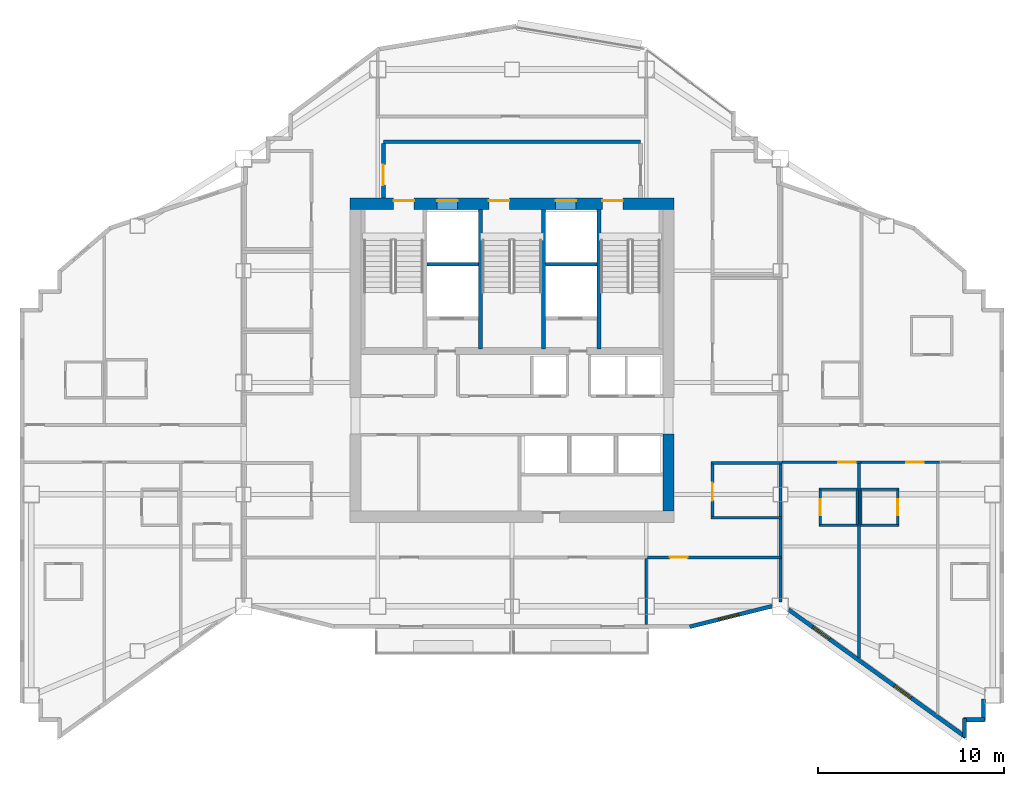
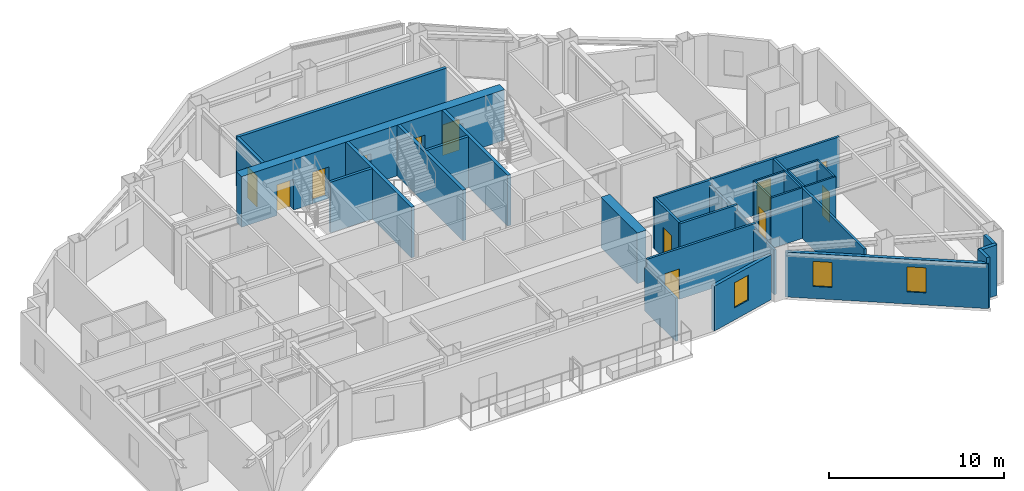
# One storey, part 7 of 12: 33 walls, 12 doors, 3 windows, 15 openings.
"""IFC4 building model written with IfcOpenShell, lengths in metres."""

from ifc_helpers import new_model, si_unit, direction, frame, frame_2d, origin, place, context, subcontext, project, spatial, rectangle, extrude, material, layer, layer_set, type_object, element, fill, save


model = new_model("IFC4")

# Units and contexts
model_context = context("Model", 3, precision=1e-05, world=origin(), true_north=direction((0.0, 1.0)))
body_context = subcontext(model_context, "Body", "Model", "MODEL_VIEW")
ifc_project = project(units=[si_unit("LENGTHUNIT", "METRE"), si_unit("AREAUNIT", "SQUARE_METRE"), si_unit("VOLUMEUNIT", "CUBIC_METRE"), si_unit("PLANEANGLEUNIT", "RADIAN"), si_unit("MASSUNIT", "GRAM", prefix="KILO")], contexts=[model_context])

# Site, building, storey
site_placement = place(None, origin())
site = spatial("IfcSite", under=ifc_project, at=site_placement, CompositionType="ELEMENT")
building_placement = place(site_placement, origin())
building = spatial("IfcBuilding", under=site, at=building_placement, Name="Haolan Belvedere Tower", CompositionType="ELEMENT")
storey_placement = place(building_placement, frame((0.0, 0.0, 203.199951171875)))
storey = spatial("IfcBuildingStorey", under=building, at=storey_placement, Name="L51", CompositionType="ELEMENT", Elevation=203.199951171875)

# Wall, openings, doors
ifc_material_1 = material(Name="Concrete C60/75", Category="concrete")
ifc_layer_1 = layer(ifc_material_1, 0.60009765625, Name="Concrete C60/75")
ifc_layer_set_1 = layer_set([ifc_layer_1], Name="Concrete C60/75")
wall_type_1 = type_object("IfcWallType", Name="WL-CORE-600", PredefinedType="SHEAR", material=ifc_layer_set_1)
wall_1_placement = place(storey_placement, frame((29.699951171875, 43.199951171875, 0.0), z_axis=(0.0, 0.0, 1.0), x_axis=(1.0, 0.0, 0.0)))
wall_1 = element("IfcWall", 1, at=wall_1_placement, inside=storey, type_object=wall_type_1, Name="L51 central core north shear wall", PredefinedType="SHEAR", context=body_context, shape_type="SweptSolid", body=[
    extrude(rectangle(XDim=17.400146484375, YDim=0.60009765625, at=frame_2d((8.7001953125, 0.0))), origin(), (0.0, 0.0, 1.0), 3.5400390625),
])
opening_1_placement = place(wall_1_placement, frame((2.35009765625, 0.0, 0.0)))
opening_1 = element("IfcOpeningElement", 2, at=opening_1_placement, cuts=wall_1, Name="Opening FD-03", PredefinedType="OPENING", context=body_context, shape_type="SweptSolid", body=[
    extrude(rectangle(XDim=1.10009765625, YDim=2.14990234375, at=frame_2d((0.550048828125, 1.074951171875))), frame((0.0, 0.31005859375, 0.0), z_axis=(0.0, -1.0, 0.0), x_axis=(1.0, 0.0, 0.0)), (0.0, 0.0, 1.0), 0.6201171875),
])
opening_2_placement = place(wall_1_placement, frame((7.4599609375, 0.0, 0.0)))
opening_2 = element("IfcOpeningElement", 3, at=opening_2_placement, cuts=wall_1, Name="Opening FD-03", PredefinedType="OPENING", context=body_context, shape_type="SweptSolid", body=[
    extrude(rectangle(XDim=1.10009765625, YDim=2.14990234375, at=frame_2d((0.550048828125, 1.074951171875))), frame((0.0, 0.31005859375, 0.0), z_axis=(0.0, -1.0, 0.0), x_axis=(1.0, 0.0, 0.0)), (0.0, 0.0, 1.0), 0.6201171875),
])
opening_3_placement = place(wall_1_placement, frame((13.550048828125, 0.0, 0.0)))
opening_3 = element("IfcOpeningElement", 4, at=opening_3_placement, cuts=wall_1, Name="Opening FD-03", PredefinedType="OPENING", context=body_context, shape_type="SweptSolid", body=[
    extrude(rectangle(XDim=1.10009765625, YDim=2.14990234375, at=frame_2d((0.550048828125, 1.074951171875))), frame((0.0, 0.31005859375, 0.0), z_axis=(0.0, -1.0, 0.0), x_axis=(1.0, 0.0, 0.0)), (0.0, 0.0, 1.0), 0.6201171875),
])
opening_4_placement = place(wall_1_placement, frame((4.679931640625, 0.0, 0.0)))
opening_4 = element("IfcOpeningElement", 5, at=opening_4_placement, cuts=wall_1, Name="Opening LD-01", PredefinedType="OPENING", context=body_context, shape_type="SweptSolid", body=[
    extrude(rectangle(XDim=1.10009765625, YDim=2.199951171875, at=frame_2d((0.550048828125, 1.10009765625))), frame((0.0, 0.31005859375, 0.0), z_axis=(0.0, -1.0, 0.0), x_axis=(1.0, 0.0, 0.0)), (0.0, 0.0, 1.0), 0.6201171875),
])
opening_5_placement = place(wall_1_placement, frame((11.0400390625, 0.0, 0.0)))
opening_5 = element("IfcOpeningElement", 6, at=opening_5_placement, cuts=wall_1, Name="Opening LD-01", PredefinedType="OPENING", context=body_context, shape_type="SweptSolid", body=[
    extrude(rectangle(XDim=1.10009765625, YDim=2.199951171875, at=frame_2d((0.550048828125, 1.10009765625))), frame((0.0, 0.31005859375, 0.0), z_axis=(0.0, -1.0, 0.0), x_axis=(1.0, 0.0, 0.0)), (0.0, 0.0, 1.0), 0.6201171875),
])
ifc_material_2 = material(Name="Galvanised fire-rated steel", Category="steel")
door_type_1 = type_object("IfcDoorType", Name="DR-FD90-1100", OperationType="NOTDEFINED", PredefinedType="DOOR", material=ifc_material_2)
door_1_placement = place(opening_1_placement, origin())
door_1 = element("IfcDoor", 7, at=door_1_placement, inside=storey, type_object=door_type_1, Name="L51 door CD-L51-ST1", OperationType="SINGLE_SWING_LEFT", OverallHeight=2.14990234375, OverallWidth=1.10009765625, PredefinedType="DOOR", context=body_context, shape_type="SweptSolid", body=[
    extrude(rectangle(XDim=1.10009765625, YDim=2.14990234375, at=frame_2d((0.550048828125, 1.074951171875))), frame((0.0, 0.18505859375, 0.0), z_axis=(0.0, -1.0, 0.0), x_axis=(1.0, 0.0, 0.0)), (0.0, 0.0, 1.0), 0.050048828125),
])
fill(opening_1, door_1)
door_2_placement = place(opening_2_placement, origin())
door_2 = element("IfcDoor", 8, at=door_2_placement, inside=storey, type_object=door_type_1, Name="L51 door CD-L51-ST3", OperationType="SINGLE_SWING_LEFT", OverallHeight=2.14990234375, OverallWidth=1.10009765625, PredefinedType="DOOR", context=body_context, shape_type="SweptSolid", body=[
    extrude(rectangle(XDim=1.10009765625, YDim=2.14990234375, at=frame_2d((0.550048828125, 1.074951171875))), frame((0.0, 0.18505859375, 0.0), z_axis=(0.0, -1.0, 0.0), x_axis=(1.0, 0.0, 0.0)), (0.0, 0.0, 1.0), 0.050048828125),
])
fill(opening_2, door_2)
door_3_placement = place(opening_3_placement, origin())
door_3 = element("IfcDoor", 9, at=door_3_placement, inside=storey, type_object=door_type_1, Name="L51 door CD-L51-ST2", OperationType="SINGLE_SWING_RIGHT", OverallHeight=2.14990234375, OverallWidth=1.10009765625, PredefinedType="DOOR", context=body_context, shape_type="SweptSolid", body=[
    extrude(rectangle(XDim=1.10009765625, YDim=2.14990234375, at=frame_2d((0.550048828125, 1.074951171875))), frame((0.0, 0.18505859375, 0.0), z_axis=(0.0, -1.0, 0.0), x_axis=(1.0, 0.0, 0.0)), (0.0, 0.0, 1.0), 0.050048828125),
])
fill(opening_3, door_3)
ifc_material_3 = material(Name="Brushed champagne stainless steel 316L", Category="steel")
door_type_2 = type_object("IfcDoorType", Name="DR-LIFT-1100", OperationType="SLIDING_TO_LEFT", PredefinedType="DOOR", material=ifc_material_3)
door_4_placement = place(opening_4_placement, origin())
door_4 = element("IfcDoor", 10, at=door_4_placement, inside=storey, type_object=door_type_2, Name="L51 door LD-L51-FF1", OperationType="SLIDING_TO_LEFT", OverallHeight=2.199951171875, OverallWidth=1.10009765625, PredefinedType="DOOR", context=body_context, shape_type="SweptSolid", body=[
    extrude(rectangle(XDim=1.10009765625, YDim=2.199951171875, at=frame_2d((0.550048828125, 1.10009765625))), frame((0.0, 0.18505859375, 0.0), z_axis=(0.0, -1.0, 0.0), x_axis=(1.0, 0.0, 0.0)), (0.0, 0.0, 1.0), 0.050048828125),
])
fill(opening_4, door_4)
door_5_placement = place(opening_5_placement, origin())
door_5 = element("IfcDoor", 11, at=door_5_placement, inside=storey, type_object=door_type_2, Name="L51 door LD-L51-FF2", OperationType="SLIDING_TO_LEFT", OverallHeight=2.199951171875, OverallWidth=1.10009765625, PredefinedType="DOOR", context=body_context, shape_type="SweptSolid", body=[
    extrude(rectangle(XDim=1.10009765625, YDim=2.199951171875, at=frame_2d((0.550048828125, 1.10009765625))), frame((0.0, 0.18505859375, 0.0), z_axis=(0.0, -1.0, 0.0), x_axis=(1.0, 0.0, 0.0)), (0.0, 0.0, 1.0), 0.050048828125),
])
fill(opening_5, door_5)

# Wall
wall_2_placement = place(storey_placement, frame((46.800048828125, 26.699951171875, 0.0), z_axis=(0.0, 0.0, 1.0), x_axis=(0.0, 1.0, 0.0)))
element("IfcWall", 12, at=wall_2_placement, inside=storey, type_object=wall_type_1, Name="L51 central core shear wall ES", PredefinedType="SHEAR", context=body_context, shape_type="SweptSolid", body=[
    extrude(rectangle(XDim=4.150146484375, YDim=0.60009765625, at=frame_2d((2.0751953125, 0.0))), origin(), (0.0, 0.0, 1.0), 3.5400390625),
])

# Wall, opening, window
ifc_material_4 = material(Name="Precast concrete C40/50", Category="concrete")
ifc_layer_2 = layer(ifc_material_4, 0.219970703125, Name="Precast concrete C40/50")
ifc_layer_set_2 = layer_set([ifc_layer_2], Name="Precast concrete C40/50")
wall_type_2 = type_object("IfcWallType", Name="WL-EXT-220", PredefinedType="SOLIDWALL", material=ifc_layer_set_2)
wall_3_placement = place(storey_placement, frame((47.93310546875, 20.49658203125, 0.0), z_axis=(0.0, 0.0, 1.0), x_axis=(0.970142500145, 0.242535625036, 0.0)))
wall_3 = element("IfcWall", 13, at=wall_3_placement, inside=storey, type_object=wall_type_2, Name="L51 pale-metal exterior spandrel wall 2.1", PredefinedType="SOLIDWALL", context=body_context, shape_type="SweptSolid", body=[
    extrude(rectangle(XDim=4.56103515625, YDim=0.219970703125, at=frame_2d((2.280517578125, 0.0))), origin(), (0.0, 0.0, 1.0), 3.135009765625),
])
opening_6_placement = place(wall_3_placement, frame((1.60009765625, 0.0, 0.85009765625)))
opening_6 = element("IfcOpeningElement", 14, at=opening_6_placement, cuts=wall_3, Name="Opening W-03", PredefinedType="OPENING", context=body_context, shape_type="SweptSolid", body=[
    extrude(rectangle(XDim=1.10009765625, YDim=1.75, at=frame_2d((0.550048828125, 0.875))), frame((0.0, 0.119873046875, 0.0), z_axis=(0.0, -1.0, 0.0), x_axis=(1.0, 0.0, 0.0)), (0.0, 0.0, 1.0), 0.239990234375),
])
ifc_material_5 = material(Name="Anodised aluminium 6063-T6 and Low-E glass", Category="aluminium")
window_type = type_object("IfcWindowType", Name="WN-DECO-Z3", PartitioningType="SINGLE_PANEL", PredefinedType="WINDOW", material=ifc_material_5)
window_1_placement = place(opening_6_placement, origin())
window_1 = element("IfcWindow", 15, at=window_1_placement, inside=storey, type_object=window_type, Name="L51 Art Deco chevron window 1", OverallHeight=1.75, OverallWidth=1.10009765625, PartitioningType="SINGLE_PANEL", PredefinedType="WINDOW", context=body_context, shape_type="SweptSolid", body=[
    extrude(rectangle(XDim=1.10009765625, YDim=1.75, at=frame_2d((0.550048828125, 0.875))), frame((0.0, 0.030029296875, 0.0), z_axis=(0.0, -1.0, 0.0), x_axis=(1.0, 0.0, 0.0)), (0.0, 0.0, 1.0), 0.06005859375),
])
fill(opening_6, window_1)

# Wall, openings, windows
wall_4_placement = place(storey_placement, frame((53.241943359375, 21.417236328125, 0.0), z_axis=(0.0, 0.0, 1.0), x_axis=(0.811534737332, -0.58430417601, 0.0)))
wall_4 = element("IfcWall", 16, at=wall_4_placement, inside=storey, type_object=wall_type_2, Name="L51 pale-metal exterior spandrel wall 3.1", PredefinedType="SOLIDWALL", context=body_context, shape_type="SweptSolid", body=[
    extrude(rectangle(XDim=11.697265625, YDim=0.219970703125, at=frame_2d((5.8486328125, 0.0))), origin(), (0.0, 0.0, 1.0), 3.135009765625),
])
opening_7_placement = place(wall_4_placement, frame((1.60009765625, 0.0, 0.85009765625)))
opening_7 = element("IfcOpeningElement", 17, at=opening_7_placement, cuts=wall_4, Name="Opening W-03", PredefinedType="OPENING", context=body_context, shape_type="SweptSolid", body=[
    extrude(rectangle(XDim=1.10009765625, YDim=1.75, at=frame_2d((0.550048828125, 0.875))), frame((0.0, 0.119873046875, 0.0), z_axis=(0.0, -1.0, 0.0), x_axis=(1.0, 0.0, 0.0)), (0.0, 0.0, 1.0), 0.239990234375),
])
opening_8_placement = place(wall_4_placement, frame((7.0, 0.0, 0.85009765625)))
opening_8 = element("IfcOpeningElement", 18, at=opening_8_placement, cuts=wall_4, Name="Opening W-03", PredefinedType="OPENING", context=body_context, shape_type="SweptSolid", body=[
    extrude(rectangle(XDim=1.10009765625, YDim=1.75, at=frame_2d((0.550048828125, 0.875))), frame((0.0, 0.119873046875, 0.0), z_axis=(0.0, -1.0, 0.0), x_axis=(1.0, 0.0, 0.0)), (0.0, 0.0, 1.0), 0.239990234375),
])
window_2_placement = place(opening_7_placement, origin())
window_2 = element("IfcWindow", 19, at=window_2_placement, inside=storey, type_object=window_type, Name="L51 Art Deco chevron window 1", OverallHeight=1.75, OverallWidth=1.10009765625, PartitioningType="SINGLE_PANEL", PredefinedType="WINDOW", context=body_context, shape_type="SweptSolid", body=[
    extrude(rectangle(XDim=1.10009765625, YDim=1.75, at=frame_2d((0.550048828125, 0.875))), frame((0.0, 0.030029296875, 0.0), z_axis=(0.0, -1.0, 0.0), x_axis=(1.0, 0.0, 0.0)), (0.0, 0.0, 1.0), 0.06005859375),
])
fill(opening_7, window_2)
window_3_placement = place(opening_8_placement, origin())
window_3 = element("IfcWindow", 20, at=window_3_placement, inside=storey, type_object=window_type, Name="L51 Art Deco chevron window 2", OverallHeight=1.75, OverallWidth=1.10009765625, PartitioningType="SINGLE_PANEL", PredefinedType="WINDOW", context=body_context, shape_type="SweptSolid", body=[
    extrude(rectangle(XDim=1.10009765625, YDim=1.75, at=frame_2d((0.550048828125, 0.875))), frame((0.0, 0.030029296875, 0.0), z_axis=(0.0, -1.0, 0.0), x_axis=(1.0, 0.0, 0.0)), (0.0, 0.0, 1.0), 0.06005859375),
])
fill(opening_8, window_3)

# Walls
wall_5_placement = place(storey_placement, frame((62.68994140625, 14.559814453125, 0.0), z_axis=(0.0, 0.0, 1.0), x_axis=(0.0, 1.0, 0.0)))
element("IfcWall", 21, at=wall_5_placement, inside=storey, type_object=wall_type_2, Name="L51 pale-metal exterior spandrel wall 4.1", PredefinedType="SOLIDWALL", context=body_context, shape_type="SweptSolid", body=[
    extrude(rectangle(XDim=1.005126953125, YDim=0.219970703125, at=frame_2d((0.50244140625, 0.0))), origin(), (0.0, 0.0, 1.0), 3.5400390625),
])
wall_6_placement = place(storey_placement, frame((62.635009765625, 15.510009765625, 0.0), z_axis=(0.0, 0.0, 1.0), x_axis=(1.0, 0.0, 0.0)))
element("IfcWall", 22, at=wall_6_placement, inside=storey, type_object=wall_type_2, Name="L51 pale-metal exterior spandrel wall 5.1", PredefinedType="SOLIDWALL", context=body_context, shape_type="SweptSolid", body=[
    extrude(rectangle(XDim=1.110107421875, YDim=0.219970703125, at=frame_2d((0.55517578125, 0.0))), origin(), (0.0, 0.0, 1.0), 3.5400390625),
])
wall_7_placement = place(storey_placement, frame((63.68994140625, 15.455078125, 0.0), z_axis=(0.0, 0.0, 1.0), x_axis=(0.0, 1.0, 0.0)))
element("IfcWall", 23, at=wall_7_placement, inside=storey, type_object=wall_type_2, Name="L51 pale-metal exterior spandrel wall 6.1", PredefinedType="SOLIDWALL", context=body_context, shape_type="SweptSolid", body=[
    extrude(rectangle(XDim=1.1650390625, YDim=0.219970703125, at=frame_2d((0.58251953125, 0.0))), origin(), (0.0, 0.0, 1.0), 3.5400390625),
])
ifc_material_6 = material(Name="Concrete C40/50", Category="concrete")
ifc_layer_3 = layer(ifc_material_6, 0.199951171875, Name="Concrete C40/50")
ifc_layer_set_3 = layer_set([ifc_layer_3], Name="Concrete C40/50")
wall_type_3 = type_object("IfcWallType", Name="WL-FIRE-200", PredefinedType="SOLIDWALL", material=ifc_layer_set_3)
wall_8_placement = place(storey_placement, frame((31.5, 46.52001953125, 0.0), z_axis=(0.0, 0.0, 1.0), x_axis=(1.0, 0.0, 0.0)))
element("IfcWall", 24, at=wall_8_placement, inside=storey, type_object=wall_type_3, Name="L51 interior partition IW-L51-FFL-N", PredefinedType="SOLIDWALL", context=body_context, shape_type="SweptSolid", body=[
    extrude(rectangle(XDim=13.800048828125, YDim=0.199951171875, at=frame_2d((6.89990234375, 0.0))), origin(), (0.0, 0.0, 1.0), 3.5400390625),
])

# Wall, opening, door
wall_9_placement = place(storey_placement, frame((31.5, 43.5, 0.0), z_axis=(0.0, 0.0, 1.0), x_axis=(0.0, 1.0, 0.0)))
wall_9 = element("IfcWall", 25, at=wall_9_placement, inside=storey, type_object=wall_type_3, Name="L51 interior partition IW-L51-FFL-W", PredefinedType="SOLIDWALL", context=body_context, shape_type="SweptSolid", body=[
    extrude(rectangle(XDim=2.93505859375, YDim=0.199951171875, at=frame_2d((1.467529296875, 0.0))), origin(), (0.0, 0.0, 1.0), 3.5400390625),
])
opening_9_placement = place(wall_9_placement, frame((1.800048828125, 0.0, 0.0), z_axis=(0.0, 0.0, 1.0), x_axis=(-1.0, 0.0, 0.0)))
opening_9 = element("IfcOpeningElement", 26, at=opening_9_placement, cuts=wall_9, Name="Opening FD-03", PredefinedType="OPENING", context=body_context, shape_type="SweptSolid", body=[
    extrude(rectangle(XDim=1.10009765625, YDim=2.14990234375, at=frame_2d((0.550048828125, 1.074951171875))), frame((0.0, 0.10986328125, 0.0), z_axis=(0.0, -1.0, 0.0), x_axis=(1.0, 0.0, 0.0)), (0.0, 0.0, 1.0), 0.219970703125),
])
door_6_placement = place(opening_9_placement, origin())
door_6 = element("IfcDoor", 27, at=door_6_placement, inside=storey, type_object=door_type_1, Name="L51 door ID-L51-FFL-DW", OperationType="SINGLE_SWING_LEFT", OverallHeight=2.14990234375, OverallWidth=1.10009765625, PredefinedType="DOOR", context=body_context, shape_type="SweptSolid", body=[
    extrude(rectangle(XDim=1.10009765625, YDim=2.14990234375, at=frame_2d((0.550048828125, 1.074951171875))), frame((0.0, 0.02490234375, 0.0), z_axis=(0.0, -1.0, 0.0), x_axis=(1.0, 0.0, 0.0)), (0.0, 0.0, 1.0), 0.050048828125),
])
fill(opening_9, door_6)

# Walls
ifc_material_7 = material(Name="Double gypsum acoustic stud partition", Category="masonry")
ifc_layer_4 = layer(ifc_material_7, 0.14990234375, Name="Double gypsum acoustic stud partition")
ifc_layer_set_4 = layer_set([ifc_layer_4], Name="Double gypsum acoustic stud partition")
wall_type_4 = type_object("IfcWallType", Name="WL-PART-150", PredefinedType="PARTITIONING", material=ifc_layer_set_4)
for number, where, z_axis, x_axis, name in (
    (28, (49.080078125, 29.280029296875, 0.0), (0.0, 0.0, 1.0), (1.0, 0.0, 0.0), "L51 interior partition IW-L51-PKTE-N"),
    (29, (49.080078125, 26.35009765625, 0.0), (0.0, 0.0, 1.0), (1.0, 0.0, 0.0), "L51 interior partition IW-L51-PKTE-S"),
):
    element("IfcWall", number, at=place(storey_placement, frame(where, z_axis=z_axis, x_axis=x_axis)), inside=storey, type_object=wall_type_4, Name=name, PredefinedType="PARTITIONING", context=body_context, shape_type="SweptSolid", body=[
        extrude(rectangle(XDim=3.7998046875, YDim=0.14990234375, at=frame_2d((1.89990234375, 0.0))), origin(), (0.0, 0.0, 1.0), 3.5400390625),
    ])

# Wall, opening, door
wall_10_placement = place(storey_placement, frame((49.159912109375, 26.409912109375, 0.0), z_axis=(0.0, 0.0, 1.0), x_axis=(0.0, 1.0, 0.0)))
wall_10 = element("IfcWall", 30, at=wall_10_placement, inside=storey, type_object=wall_type_4, Name="L51 interior partition IW-L51-PKTE-W", PredefinedType="PARTITIONING", context=body_context, shape_type="SweptSolid", body=[
    extrude(rectangle(XDim=2.81005859375, YDim=0.14990234375, at=frame_2d((1.405029296875, 0.0))), origin(), (0.0, 0.0, 1.0), 3.5400390625),
])
opening_10_placement = place(wall_10_placement, frame((0.860107421875, 0.0, 0.0)))
opening_10 = element("IfcOpeningElement", 31, at=opening_10_placement, cuts=wall_10, Name="Opening ID-03", PredefinedType="OPENING", context=body_context, shape_type="SweptSolid", body=[
    extrude(rectangle(XDim=0.949951171875, YDim=2.1201171875, at=frame_2d((0.47509765625, 1.06005859375))), frame((0.0, 0.0849609375, 0.0), z_axis=(0.0, -1.0, 0.0), x_axis=(1.0, 0.0, 0.0)), (0.0, 0.0, 1.0), 0.169921875),
])
ifc_material_8 = material(Name="Painted solid-core timber", Category="wood")
door_type_3 = type_object("IfcDoorType", Name="DR-INT-950", OperationType="NOTDEFINED", PredefinedType="DOOR", material=ifc_material_8)
door_7_placement = place(opening_10_placement, origin())
door_7 = element("IfcDoor", 32, at=door_7_placement, inside=storey, type_object=door_type_3, Name="L51 door ID-L51-PKTE", OperationType="SINGLE_SWING_RIGHT", OverallHeight=2.1201171875, OverallWidth=0.949951171875, PredefinedType="DOOR", context=body_context, shape_type="SweptSolid", body=[
    extrude(rectangle(XDim=0.949951171875, YDim=2.1201171875, at=frame_2d((0.47509765625, 1.06005859375))), frame((0.0, 0.02490234375, 0.0), z_axis=(0.0, -1.0, 0.0), x_axis=(1.0, 0.0, 0.0)), (0.0, 0.0, 1.0), 0.050048828125),
])
fill(opening_10, door_7)

# Walls
wall_11_placement = place(storey_placement, frame((52.800048828125, 26.409912109375, 0.0), z_axis=(0.0, 0.0, 1.0), x_axis=(0.0, 1.0, 0.0)))
element("IfcWall", 33, at=wall_11_placement, inside=storey, type_object=wall_type_4, Name="L51 interior partition IW-L51-PKTE-E", PredefinedType="PARTITIONING", context=body_context, shape_type="SweptSolid", body=[
    extrude(rectangle(XDim=2.81005859375, YDim=0.14990234375, at=frame_2d((1.405029296875, 0.0))), origin(), (0.0, 0.0, 1.0), 3.135009765625),
])
wall_12_placement = place(storey_placement, frame((45.60009765625, 20.612060546875, 0.0), z_axis=(0.0, 0.0, 1.0), x_axis=(0.0, 1.0, 0.0)))
element("IfcWall", 34, at=wall_12_placement, inside=storey, type_object=wall_type_4, Name="L51 interior partition IW-L51-KS2-E", PredefinedType="PARTITIONING", context=body_context, shape_type="SweptSolid", body=[
    extrude(rectangle(XDim=3.5478515625, YDim=0.14990234375, at=frame_2d((1.77392578125, 0.0))), origin(), (0.0, 0.0, 1.0), 3.025146484375),
])

# Wall, opening, door
wall_13_placement = place(storey_placement, frame((45.681884765625, 24.219970703125, 0.0), z_axis=(0.0, 0.0, 1.0), x_axis=(1.0, 0.0, 0.0)))
wall_13 = element("IfcWall", 35, at=wall_13_placement, inside=storey, type_object=wall_type_4, Name="L51 interior partition IW-L51-KS3-N", PredefinedType="PARTITIONING", context=body_context, shape_type="SweptSolid", body=[
    extrude(rectangle(XDim=7.197998046875, YDim=0.14990234375, at=frame_2d((3.59912109375, 0.0))), origin(), (0.0, 0.0, 1.0), 3.5400390625),
])
opening_11_placement = place(wall_13_placement, frame((2.14306640625, 0.0, 0.0), z_axis=(0.0, 0.0, 1.0), x_axis=(-1.0, 0.0, 0.0)))
opening_11 = element("IfcOpeningElement", 36, at=opening_11_placement, cuts=wall_13, Name="Opening ID-03", PredefinedType="OPENING", context=body_context, shape_type="SweptSolid", body=[
    extrude(rectangle(XDim=0.949951171875, YDim=2.1201171875, at=frame_2d((0.47509765625, 1.06005859375))), frame((0.0, 0.0849609375, 0.0), z_axis=(0.0, -1.0, 0.0), x_axis=(1.0, 0.0, 0.0)), (0.0, 0.0, 1.0), 0.169921875),
])
door_8_placement = place(opening_11_placement, origin())
door_8 = element("IfcDoor", 37, at=door_8_placement, inside=storey, type_object=door_type_3, Name="L51 door ID-L51-KS3", OperationType="SINGLE_SWING_LEFT", OverallHeight=2.1201171875, OverallWidth=0.949951171875, PredefinedType="DOOR", context=body_context, shape_type="SweptSolid", body=[
    extrude(rectangle(XDim=0.949951171875, YDim=2.1201171875, at=frame_2d((0.47509765625, 1.06005859375))), frame((0.0, 0.02490234375, 0.0), z_axis=(0.0, -1.0, 0.0), x_axis=(1.0, 0.0, 0.0)), (0.0, 0.0, 1.0), 0.050048828125),
])
fill(opening_11, door_8)

# Wall
wall_14_placement = place(storey_placement, frame((52.800048828125, 21.818603515625, 0.0), z_axis=(0.0, 0.0, 1.0), x_axis=(0.0, 1.0, 0.0)))
element("IfcWall", 38, at=wall_14_placement, inside=storey, type_object=wall_type_4, Name="L51 interior partition IW-L51-KS3-E", PredefinedType="PARTITIONING", context=body_context, shape_type="SweptSolid", body=[
    extrude(rectangle(XDim=2.34130859375, YDim=0.14990234375, at=frame_2d((1.170654296875, 0.0))), origin(), (0.0, 0.0, 1.0), 3.135009765625),
])

# Wall, opening, door
wall_15_placement = place(storey_placement, frame((52.882080078125, 29.320068359375, 0.0), z_axis=(0.0, 0.0, 1.0), x_axis=(1.0, 0.0, 0.0)))
wall_15 = element("IfcWall", 39, at=wall_15_placement, inside=storey, type_object=wall_type_4, Name="L51 interior partition IW-L51-T4S1-N", PredefinedType="PARTITIONING", context=body_context, shape_type="SweptSolid", body=[
    extrude(rectangle(XDim=4.238037109375, YDim=0.14990234375, at=frame_2d((2.119140625, 0.0))), origin(), (0.0, 0.0, 1.0), 3.5400390625),
])
opening_12_placement = place(wall_15_placement, frame((3.971923828125, 0.0, 0.0), z_axis=(0.0, 0.0, 1.0), x_axis=(-1.0, 0.0, 0.0)))
opening_12 = element("IfcOpeningElement", 40, at=opening_12_placement, cuts=wall_15, Name="Opening ID-02", PredefinedType="OPENING", context=body_context, shape_type="SweptSolid", body=[
    extrude(rectangle(XDim=0.949951171875, YDim=2.14990234375, at=frame_2d((0.47509765625, 1.074951171875))), frame((0.0, 0.0849609375, 0.0), z_axis=(0.0, -1.0, 0.0), x_axis=(1.0, 0.0, 0.0)), (0.0, 0.0, 1.0), 0.169921875),
])
ifc_material_9 = material(Name="Acoustic oak veneer fire-rated timber", Category="wood")
door_type_4 = type_object("IfcDoorType", Name="DR-GUEST-950", OperationType="NOTDEFINED", PredefinedType="DOOR", material=ifc_material_9)
door_9_placement = place(opening_12_placement, origin())
door_9 = element("IfcDoor", 41, at=door_9_placement, inside=storey, type_object=door_type_4, Name="L51 door ID-L51-T4S1-ENT", OperationType="SINGLE_SWING_RIGHT", OverallHeight=2.14990234375, OverallWidth=0.949951171875, PredefinedType="DOOR", context=body_context, shape_type="SweptSolid", body=[
    extrude(rectangle(XDim=0.949951171875, YDim=2.14990234375, at=frame_2d((0.47509765625, 1.074951171875))), frame((0.0, 0.02490234375, 0.0), z_axis=(0.0, -1.0, 0.0), x_axis=(1.0, 0.0, 0.0)), (0.0, 0.0, 1.0), 0.050048828125),
])
fill(opening_12, door_9)

# Walls
wall_16_placement = place(storey_placement, frame((52.800048828125, 24.280029296875, 0.0), z_axis=(0.0, 0.0, 1.0), x_axis=(0.0, 1.0, 0.0)))
element("IfcWall", 42, at=wall_16_placement, inside=storey, type_object=wall_type_4, Name="L51 interior partition IW-L51-T4S1-W", PredefinedType="PARTITIONING", context=body_context, shape_type="SweptSolid", body=[
    extrude(rectangle(XDim=2.010009765625, YDim=0.14990234375, at=frame_2d((1.0048828125, 0.0))), origin(), (0.0, 0.0, 1.0), 3.135009765625),
])
wall_17_placement = place(storey_placement, frame((57.02001953125, 18.82275390625, 0.0), z_axis=(0.0, 0.0, 1.0), x_axis=(0.0, 1.0, 0.0)))
element("IfcWall", 43, at=wall_17_placement, inside=storey, type_object=wall_type_4, Name="L51 interior partition IW-L51-T4S1-E", PredefinedType="PARTITIONING", context=body_context, shape_type="SweptSolid", body=[
    extrude(rectangle(XDim=10.437255859375, YDim=0.14990234375, at=frame_2d((5.21875, 0.0))), origin(), (0.0, 0.0, 1.0), 3.5400390625),
])

# Wall, opening, door
wall_18_placement = place(storey_placement, frame((57.1220703125, 29.320068359375, 0.0), z_axis=(0.0, 0.0, 1.0), x_axis=(1.0, 0.0, 0.0)))
wall_18 = element("IfcWall", 44, at=wall_18_placement, inside=storey, type_object=wall_type_4, Name="L51 interior partition IW-L51-T4S2-N", PredefinedType="PARTITIONING", context=body_context, shape_type="SweptSolid", body=[
    extrude(rectangle(XDim=4.22802734375, YDim=0.14990234375, at=frame_2d((2.114013671875, 0.0))), origin(), (0.0, 0.0, 1.0), 3.5400390625),
])
opening_13_placement = place(wall_18_placement, frame((3.37939453125, 0.0, 0.0), z_axis=(0.0, 0.0, 1.0), x_axis=(-1.0, 0.0, 0.0)))
opening_13 = element("IfcOpeningElement", 45, at=opening_13_placement, cuts=wall_18, Name="Opening ID-02", PredefinedType="OPENING", context=body_context, shape_type="SweptSolid", body=[
    extrude(rectangle(XDim=0.949951171875, YDim=2.14990234375, at=frame_2d((0.47509765625, 1.074951171875))), frame((0.0, 0.0849609375, 0.0), z_axis=(0.0, -1.0, 0.0), x_axis=(1.0, 0.0, 0.0)), (0.0, 0.0, 1.0), 0.169921875),
])
door_10_placement = place(opening_13_placement, origin())
door_10 = element("IfcDoor", 46, at=door_10_placement, inside=storey, type_object=door_type_4, Name="L51 door ID-L51-T4S2-ENT", OperationType="SINGLE_SWING_LEFT", OverallHeight=2.14990234375, OverallWidth=0.949951171875, PredefinedType="DOOR", context=body_context, shape_type="SweptSolid", body=[
    extrude(rectangle(XDim=0.949951171875, YDim=2.14990234375, at=frame_2d((0.47509765625, 1.074951171875))), frame((0.0, 0.02490234375, 0.0), z_axis=(0.0, -1.0, 0.0), x_axis=(1.0, 0.0, 0.0)), (0.0, 0.0, 1.0), 0.050048828125),
])
fill(opening_13, door_10)

# Walls
ifc_layer_5 = layer(ifc_material_4, 0.179931640625, Name="Precast concrete C40/50")
ifc_layer_set_5 = layer_set([ifc_layer_5], Name="Precast concrete C40/50")
wall_type_5 = type_object("IfcWallType", Name="WL-SHAFT-180", PredefinedType="SOLIDWALL", material=ifc_layer_set_5)
for number, where, z_axis, x_axis, name in (
    (47, (33.8349609375, 39.949951171875, 0.0), (0.0, 0.0, 1.0), (1.0, 0.0, 0.0), "L51 interior partition IW-L51-FF1-S"),
    (48, (40.195068359375, 39.949951171875, 0.0), (0.0, 0.0, 1.0), (1.0, 0.0, 0.0), "L51 interior partition IW-L51-FF2-S"),
):
    element("IfcWall", number, at=place(storey_placement, frame(where, z_axis=z_axis, x_axis=x_axis)), inside=storey, type_object=wall_type_5, Name=name, PredefinedType="SOLIDWALL", context=body_context, shape_type="SweptSolid", body=[
        extrude(rectangle(XDim=2.77001953125, YDim=0.179931640625, at=frame_2d((1.385009765625, 0.0))), origin(), (0.0, 0.0, 1.0), 3.5400390625),
    ])
ifc_material_10 = material(Name="Concrete C50/60", Category="concrete")
ifc_layer_6 = layer(ifc_material_10, 0.219970703125, Name="Concrete C50/60")
ifc_layer_set_6 = layer_set([ifc_layer_6], Name="Concrete C50/60")
wall_type_6 = type_object("IfcWallType", Name="WL-STAIR-220", PredefinedType="SHEAR", material=ifc_layer_set_6)
for number, where, z_axis, x_axis, name in (
    (49, (36.699951171875, 35.389892578125, 0.0), (0.0, 0.0, 1.0), (0.0, 1.0, 0.0), "L51 structural stair core wall ST3W"),
    (50, (40.10009765625, 35.389892578125, 0.0), (0.0, 0.0, 1.0), (0.0, 1.0, 0.0), "L51 structural stair core wall ST3E"),
    (51, (43.06005859375, 35.389892578125, 0.0), (0.0, 0.0, 1.0), (0.0, 1.0, 0.0), "L51 structural stair core wall ST2W"),
):
    element("IfcWall", number, at=place(storey_placement, frame(where, z_axis=z_axis, x_axis=x_axis)), inside=storey, type_object=wall_type_6, Name=name, PredefinedType="SHEAR", context=body_context, shape_type="SweptSolid", body=[
        extrude(rectangle(XDim=7.510009765625, YDim=0.219970703125, at=frame_2d((3.7548828125, 0.0))), origin(), (0.0, 0.0, 1.0), 3.5400390625),
    ])
ifc_material_11 = material(Name="Moisture-resistant gypsum tile partition", Category="masonry")
ifc_layer_7 = layer(ifc_material_11, 0.1201171875, Name="Moisture-resistant gypsum tile partition")
ifc_layer_set_7 = layer_set([ifc_layer_7], Name="Moisture-resistant gypsum tile partition")
wall_type_7 = type_object("IfcWallType", Name="WL-WET-120", PredefinedType="PARTITIONING", material=ifc_layer_set_7)
for number, where, z_axis, x_axis, name in (
    (52, (54.8798828125, 27.8701171875, 0.0), (0.0, 0.0, 1.0), (1.0, 0.0, 0.0), "L51 interior partition IW-L51-T4S1-BN"),
    (53, (54.8798828125, 25.949951171875, 0.0), (0.0, 0.0, 1.0), (1.0, 0.0, 0.0), "L51 interior partition IW-L51-T4S1-BS"),
):
    element("IfcWall", number, at=place(storey_placement, frame(where, z_axis=z_axis, x_axis=x_axis)), inside=storey, type_object=wall_type_7, Name=name, PredefinedType="PARTITIONING", context=body_context, shape_type="SweptSolid", body=[
        extrude(rectangle(XDim=2.080078125, YDim=0.1201171875, at=frame_2d((1.0400390625, 0.0))), origin(), (0.0, 0.0, 1.0), 3.5400390625),
    ])

# Wall, opening, door
wall_19_placement = place(storey_placement, frame((54.93994140625, 25.9951171875, 0.0), z_axis=(0.0, 0.0, 1.0), x_axis=(0.0, 1.0, 0.0)))
wall_19 = element("IfcWall", 54, at=wall_19_placement, inside=storey, type_object=wall_type_7, Name="L51 interior partition IW-L51-T4S1-BW", PredefinedType="PARTITIONING", context=body_context, shape_type="SweptSolid", body=[
    extrude(rectangle(XDim=1.829833984375, YDim=0.1201171875, at=frame_2d((0.9150390625, 0.0))), origin(), (0.0, 0.0, 1.0), 3.5400390625),
])
opening_14_placement = place(wall_19_placement, frame((1.340087890625, 0.0, 0.0), z_axis=(0.0, 0.0, 1.0), x_axis=(-1.0, 0.0, 0.0)))
opening_14 = element("IfcOpeningElement", 55, at=opening_14_placement, cuts=wall_19, Name="Opening ID-05", PredefinedType="OPENING", context=body_context, shape_type="SweptSolid", body=[
    extrude(rectangle(XDim=0.85009765625, YDim=2.10009765625, at=frame_2d((0.425048828125, 1.050048828125))), frame((0.0, 0.070068359375, 0.0), z_axis=(0.0, -1.0, 0.0), x_axis=(1.0, 0.0, 0.0)), (0.0, 0.0, 1.0), 0.14013671875),
])
ifc_material_12 = material(Name="Moisture-resistant lacquered timber", Category="wood")
door_type_5 = type_object("IfcDoorType", Name="DR-BATH-850", OperationType="NOTDEFINED", PredefinedType="DOOR", material=ifc_material_12)
door_11_placement = place(opening_14_placement, origin())
door_11 = element("IfcDoor", 56, at=door_11_placement, inside=storey, type_object=door_type_5, Name="L51 door ID-L51-T4S1-BATH", OperationType="SINGLE_SWING_LEFT", OverallHeight=2.10009765625, OverallWidth=0.85009765625, PredefinedType="DOOR", context=body_context, shape_type="SweptSolid", body=[
    extrude(rectangle(XDim=0.85009765625, YDim=2.10009765625, at=frame_2d((0.425048828125, 1.050048828125))), frame((0.0, 0.02490234375, 0.0), z_axis=(0.0, -1.0, 0.0), x_axis=(1.0, 0.0, 0.0)), (0.0, 0.0, 1.0), 0.050048828125),
])
fill(opening_14, door_11)

# Walls
wall_20_placement = place(storey_placement, frame((56.919921875, 25.9951171875, 0.0), z_axis=(0.0, 0.0, 1.0), x_axis=(0.0, 1.0, 0.0)))
element("IfcWall", 57, at=wall_20_placement, inside=storey, type_object=wall_type_7, Name="L51 interior partition IW-L51-T4S1-BE", PredefinedType="PARTITIONING", context=body_context, shape_type="SweptSolid", body=[
    extrude(rectangle(XDim=1.829833984375, YDim=0.1201171875, at=frame_2d((0.9150390625, 0.0))), origin(), (0.0, 0.0, 1.0), 3.5400390625),
])
for number, where, z_axis, x_axis, name in (
    (58, (57.080078125, 27.8701171875, 0.0), (0.0, 0.0, 1.0), (1.0, 0.0, 0.0), "L51 interior partition IW-L51-T4S2-BN"),
    (59, (57.080078125, 25.949951171875, 0.0), (0.0, 0.0, 1.0), (1.0, 0.0, 0.0), "L51 interior partition IW-L51-T4S2-BS"),
):
    element("IfcWall", number, at=place(storey_placement, frame(where, z_axis=z_axis, x_axis=x_axis)), inside=storey, type_object=wall_type_7, Name=name, PredefinedType="PARTITIONING", context=body_context, shape_type="SweptSolid", body=[
        extrude(rectangle(XDim=2.079833984375, YDim=0.1201171875, at=frame_2d((1.0400390625, 0.0))), origin(), (0.0, 0.0, 1.0), 3.5400390625),
    ])
wall_21_placement = place(storey_placement, frame((57.1201171875, 25.9951171875, 0.0), z_axis=(0.0, 0.0, 1.0), x_axis=(0.0, 1.0, 0.0)))
element("IfcWall", 60, at=wall_21_placement, inside=storey, type_object=wall_type_7, Name="L51 interior partition IW-L51-T4S2-BW", PredefinedType="PARTITIONING", context=body_context, shape_type="SweptSolid", body=[
    extrude(rectangle(XDim=1.829833984375, YDim=0.1201171875, at=frame_2d((0.9150390625, 0.0))), origin(), (0.0, 0.0, 1.0), 3.5400390625),
])

# Wall, opening, door
wall_22_placement = place(storey_placement, frame((59.10009765625, 25.9951171875, 0.0), z_axis=(0.0, 0.0, 1.0), x_axis=(0.0, 1.0, 0.0)))
wall_22 = element("IfcWall", 61, at=wall_22_placement, inside=storey, type_object=wall_type_7, Name="L51 interior partition IW-L51-T4S2-BE", PredefinedType="PARTITIONING", context=body_context, shape_type="SweptSolid", body=[
    extrude(rectangle(XDim=1.829833984375, YDim=0.1201171875, at=frame_2d((0.9150390625, 0.0))), origin(), (0.0, 0.0, 1.0), 3.5400390625),
])
opening_15_placement = place(wall_22_placement, frame((0.489990234375, 0.0, 0.0)))
opening_15 = element("IfcOpeningElement", 62, at=opening_15_placement, cuts=wall_22, Name="Opening ID-05", PredefinedType="OPENING", context=body_context, shape_type="SweptSolid", body=[
    extrude(rectangle(XDim=0.85009765625, YDim=2.10009765625, at=frame_2d((0.425048828125, 1.050048828125))), frame((0.0, 0.070068359375, 0.0), z_axis=(0.0, -1.0, 0.0), x_axis=(1.0, 0.0, 0.0)), (0.0, 0.0, 1.0), 0.14013671875),
])
door_12_placement = place(opening_15_placement, origin())
door_12 = element("IfcDoor", 63, at=door_12_placement, inside=storey, type_object=door_type_5, Name="L51 door ID-L51-T4S2-BATH", OperationType="SINGLE_SWING_RIGHT", OverallHeight=2.10009765625, OverallWidth=0.85009765625, PredefinedType="DOOR", context=body_context, shape_type="SweptSolid", body=[
    extrude(rectangle(XDim=0.85009765625, YDim=2.10009765625, at=frame_2d((0.425048828125, 1.050048828125))), frame((0.0, 0.02490234375, 0.0), z_axis=(0.0, -1.0, 0.0), x_axis=(1.0, 0.0, 0.0)), (0.0, 0.0, 1.0), 0.050048828125),
])
fill(opening_15, door_12)

save(model, "model.ifc")
